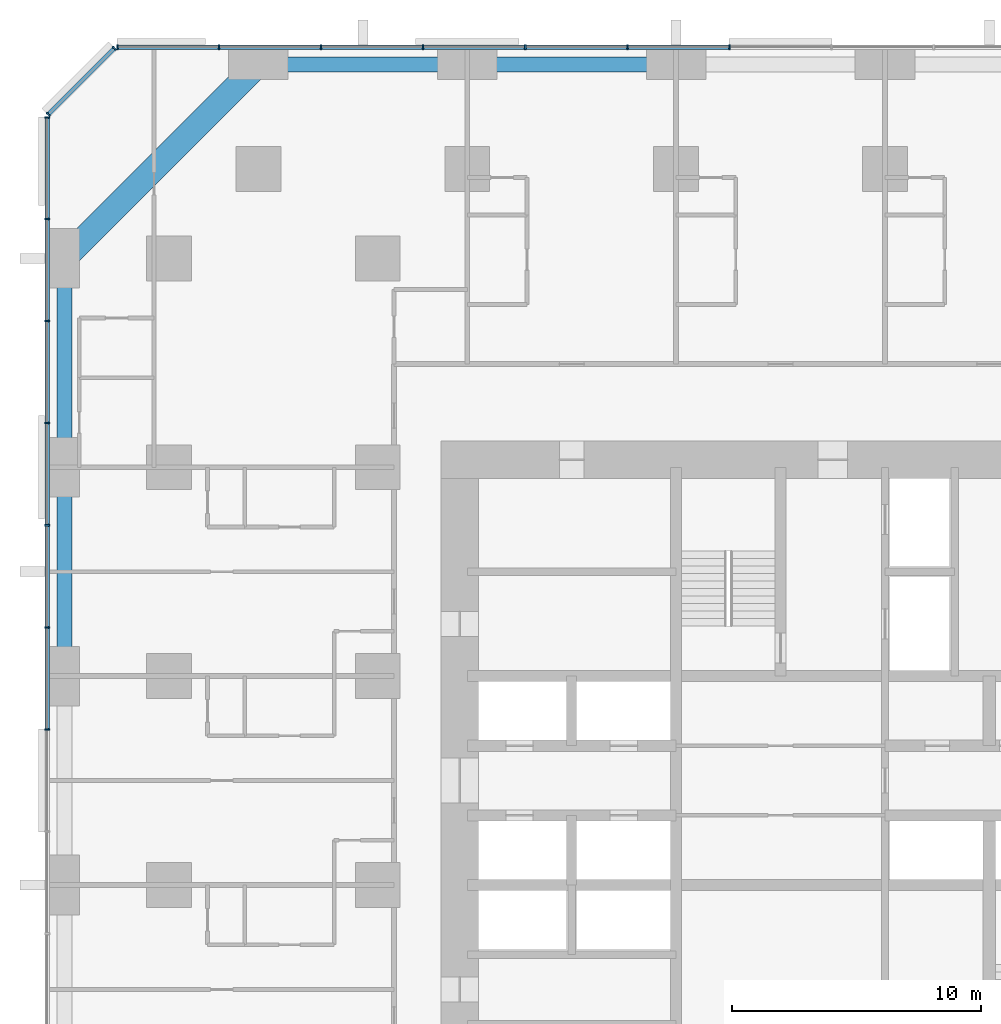
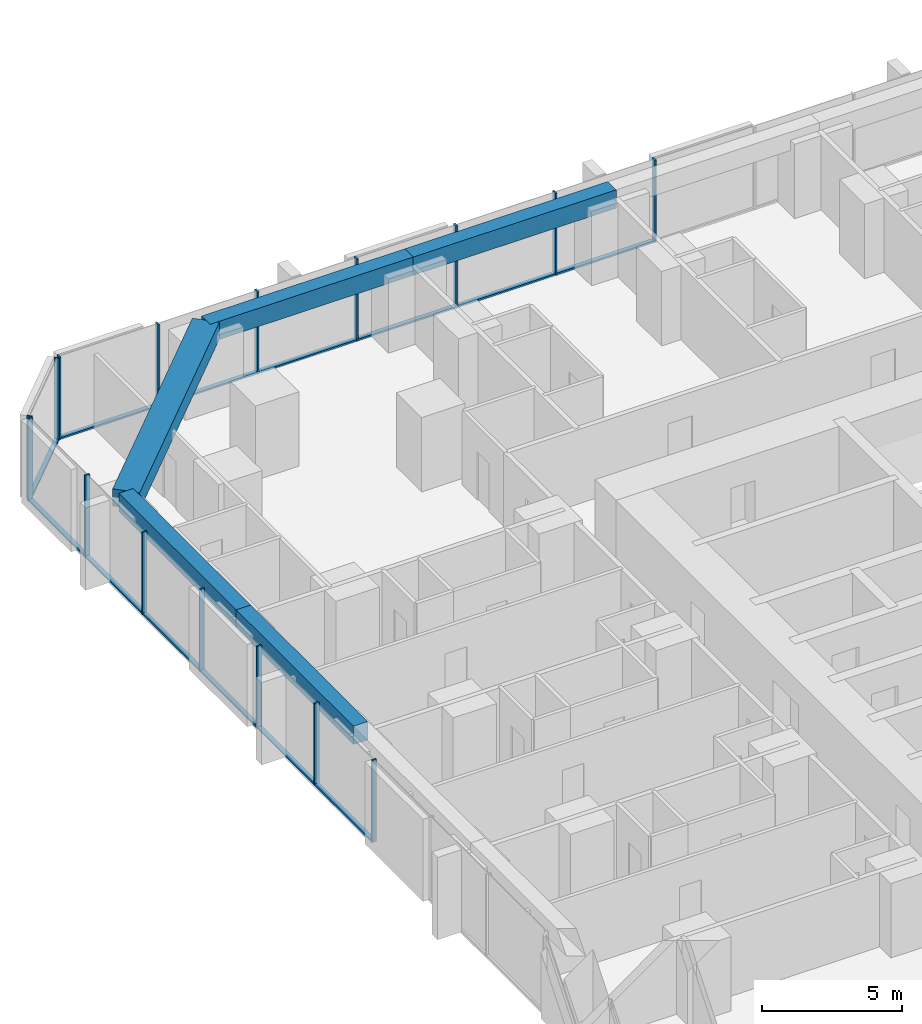
# One storey, part 6 of 17: 29 members, 5 beams, 3 elements without a shape of their own.
"""IFC4 building model written with IfcOpenShell, lengths in metres."""

from ifc_helpers import new_model, si_unit, direction, frame, origin, origin_2d, place, context, subcontext, project, spatial, rectangle, extrude, material, material_profile, profile_set, type_object, element, aggregate, save


model = new_model("IFC4")

# Units and contexts
model_context = context("Model", 3, precision=1e-05, world=origin(), true_north=direction((0.0, 1.0)))
body_context = subcontext(model_context, "Body", "Model", "MODEL_VIEW")
ifc_project = project(units=[si_unit("LENGTHUNIT", "METRE"), si_unit("AREAUNIT", "SQUARE_METRE"), si_unit("VOLUMEUNIT", "CUBIC_METRE"), si_unit("PLANEANGLEUNIT", "RADIAN"), si_unit("MASSUNIT", "GRAM", prefix="KILO")], contexts=[model_context])

# Site, building, storey
site_placement = place(None, origin())
site = spatial("IfcSite", under=ifc_project, at=site_placement, CompositionType="ELEMENT")
building_placement = place(site_placement, origin())
building = spatial("IfcBuilding", under=site, at=building_placement, Name="Dunama Terrace Hotel", CompositionType="ELEMENT")
storey_placement = place(building_placement, frame((0.0, 0.0, 59.39990234375)))
storey = spatial("IfcBuildingStorey", under=building, at=storey_placement, Name="L14", CompositionType="ELEMENT", Elevation=59.39990234375)

# Curtain wall, members
ifc_material_1 = material(Name="Aluminium curtain wall system", Category="aluminium")
curtain_wall_type = type_object("IfcCurtainWallType", Name="Unitised fritted glass wall CW-A", PredefinedType="NOTDEFINED", material=ifc_material_1)
curtain_wall_1_placement = place(storey_placement, origin())
curtain_wall_1 = element("IfcCurtainWall", 1, at=curtain_wall_1_placement, inside=storey, type_object=curtain_wall_type, Name="Unitised fritted glass wall CW-A L14", PredefinedType="NOTDEFINED")
ifc_material_2 = material(Name="Aluminium mullion", Category="aluminium")
ifc_material_profile_1 = material_profile(ifc_material_2, rectangle(XDim=0.06494140625, YDim=0.199951171875, at=origin_2d()), Name="CWA MULLION 65X200")
ifc_profile_set_1 = profile_set([ifc_material_profile_1], Name="Aluminium mullion")
member_type_1 = type_object("IfcMemberType", Name="CWA mullion 65x200", PredefinedType="MULLION", material=ifc_profile_set_1)
member_1_placement = place(storey_placement, frame((27.345947265625, 58.89990234375, 0.0), z_axis=(0.0, 0.0, 1.0), x_axis=(-1.0, 0.0, 0.0)))
member_1 = element("IfcMember", 2, at=member_1_placement, type_object=member_type_1, Name="CWA mullion", PredefinedType="MULLION", context=body_context, shape_type="SweptSolid", body=[
    extrude(rectangle(XDim=0.06494140625, YDim=0.199951171875, at=origin_2d()), origin(), (0.0, 0.0, 1.0), 3.60009765625),
])
member_2_placement = place(storey_placement, frame((23.238037109375, 58.89990234375, 0.0), z_axis=(0.0, 0.0, 1.0), x_axis=(-1.0, 0.0, 0.0)))
member_2 = element("IfcMember", 3, at=member_2_placement, type_object=member_type_1, Name="CWA mullion", PredefinedType="MULLION", context=body_context, shape_type="SweptSolid", body=[
    extrude(rectangle(XDim=0.06494140625, YDim=0.199951171875, at=origin_2d()), origin(), (0.0, 0.0, 1.0), 3.60009765625),
])
member_3_placement = place(storey_placement, frame((19.131103515625, 58.89990234375, 0.0), z_axis=(0.0, 0.0, 1.0), x_axis=(-1.0, 0.0, 0.0)))
member_3 = element("IfcMember", 4, at=member_3_placement, type_object=member_type_1, Name="CWA mullion", PredefinedType="MULLION", context=body_context, shape_type="SweptSolid", body=[
    extrude(rectangle(XDim=0.06494140625, YDim=0.199951171875, at=origin_2d()), origin(), (0.0, 0.0, 1.0), 3.60009765625),
])
member_4_placement = place(storey_placement, frame((15.02294921875, 58.89990234375, 0.0), z_axis=(0.0, 0.0, 1.0), x_axis=(-1.0, 0.0, 0.0)))
member_4 = element("IfcMember", 5, at=member_4_placement, type_object=member_type_1, Name="CWA mullion", PredefinedType="MULLION", context=body_context, shape_type="SweptSolid", body=[
    extrude(rectangle(XDim=0.06494140625, YDim=0.199951171875, at=origin_2d()), origin(), (0.0, 0.0, 1.0), 3.60009765625),
])
member_5_placement = place(storey_placement, frame((10.9150390625, 58.89990234375, 0.0), z_axis=(0.0, 0.0, 1.0), x_axis=(-1.0, 0.0, 0.0)))
member_5 = element("IfcMember", 6, at=member_5_placement, type_object=member_type_1, Name="CWA mullion", PredefinedType="MULLION", context=body_context, shape_type="SweptSolid", body=[
    extrude(rectangle(XDim=0.06494140625, YDim=0.199951171875, at=origin_2d()), origin(), (0.0, 0.0, 1.0), 3.60009765625),
])
member_6_placement = place(storey_placement, frame((6.80810546875, 58.89990234375, 0.0), z_axis=(0.0, 0.0, 1.0), x_axis=(-1.0, 0.0, 0.0)))
member_6 = element("IfcMember", 7, at=member_6_placement, type_object=member_type_1, Name="CWA mullion", PredefinedType="MULLION", context=body_context, shape_type="SweptSolid", body=[
    extrude(rectangle(XDim=0.06494140625, YDim=0.199951171875, at=origin_2d()), origin(), (0.0, 0.0, 1.0), 3.60009765625),
])
member_7_placement = place(storey_placement, frame((2.73291015625, 58.89990234375, 0.0), z_axis=(0.0, 0.0, 1.0), x_axis=(-1.0, 0.0, 0.0)))
member_7 = element("IfcMember", 8, at=member_7_placement, type_object=member_type_1, Name="CWA mullion", PredefinedType="MULLION", context=body_context, shape_type="SweptSolid", body=[
    extrude(rectangle(XDim=0.06494140625, YDim=0.199951171875, at=origin_2d()), origin(), (0.0, 0.0, 1.0), 3.60009765625),
])

curtain_wall_2_placement = place(storey_placement, origin())
curtain_wall_2 = element("IfcCurtainWall", 9, at=curtain_wall_2_placement, inside=storey, type_object=curtain_wall_type, Name="Unitised fritted glass wall CW-A L14", PredefinedType="NOTDEFINED")
member_8_placement = place(storey_placement, frame((2.60595703125, 58.847900390625, 0.0), z_axis=(0.0, 0.0, 1.0), x_axis=(-0.707106781187, -0.707106781187, 0.0)))
member_8 = element("IfcMember", 10, at=member_8_placement, type_object=member_type_1, Name="CWA mullion", PredefinedType="MULLION", context=body_context, shape_type="SweptSolid", body=[
    extrude(rectangle(XDim=0.06494140625, YDim=0.199951171875, at=origin_2d()), origin(), (0.0, 0.0, 1.0), 3.60009765625),
])
member_9_placement = place(storey_placement, frame((-0.048095703125, 56.194091796875, 0.0), z_axis=(0.0, 0.0, 1.0), x_axis=(-0.707106781187, -0.707106781187, 0.0)))
member_9 = element("IfcMember", 11, at=member_9_placement, type_object=member_type_1, Name="CWA mullion", PredefinedType="MULLION", context=body_context, shape_type="SweptSolid", body=[
    extrude(rectangle(XDim=0.06494140625, YDim=0.199951171875, at=origin_2d()), origin(), (0.0, 0.0, 1.0), 3.60009765625),
])

curtain_wall_3_placement = place(storey_placement, origin())
curtain_wall_3 = element("IfcCurtainWall", 12, at=curtain_wall_3_placement, inside=storey, type_object=curtain_wall_type, Name="Unitised fritted glass wall CW-A L14", PredefinedType="NOTDEFINED")
member_10_placement = place(storey_placement, frame((-0.10009765625, 56.06689453125, 0.0), z_axis=(0.0, 0.0, 1.0), x_axis=(0.0, -1.0, 0.0)))
member_10 = element("IfcMember", 13, at=member_10_placement, type_object=member_type_1, Name="CWA mullion", PredefinedType="MULLION", context=body_context, shape_type="SweptSolid", body=[
    extrude(rectangle(XDim=0.06494140625, YDim=0.199951171875, at=origin_2d()), origin(), (0.0, 0.0, 1.0), 3.60009765625),
])
member_11_placement = place(storey_placement, frame((-0.10009765625, 51.991943359375, 0.0), z_axis=(0.0, 0.0, 1.0), x_axis=(0.0, -1.0, 0.0)))
member_11 = element("IfcMember", 14, at=member_11_placement, type_object=member_type_1, Name="CWA mullion", PredefinedType="MULLION", context=body_context, shape_type="SweptSolid", body=[
    extrude(rectangle(XDim=0.06494140625, YDim=0.199951171875, at=origin_2d()), origin(), (0.0, 0.0, 1.0), 3.60009765625),
])
member_12_placement = place(storey_placement, frame((-0.10009765625, 47.885009765625, 0.0), z_axis=(0.0, 0.0, 1.0), x_axis=(0.0, -1.0, 0.0)))
member_12 = element("IfcMember", 15, at=member_12_placement, type_object=member_type_1, Name="CWA mullion", PredefinedType="MULLION", context=body_context, shape_type="SweptSolid", body=[
    extrude(rectangle(XDim=0.06494140625, YDim=0.199951171875, at=origin_2d()), origin(), (0.0, 0.0, 1.0), 3.60009765625),
])
member_13_placement = place(storey_placement, frame((-0.10009765625, 43.777099609375, 0.0), z_axis=(0.0, 0.0, 1.0), x_axis=(0.0, -1.0, 0.0)))
member_13 = element("IfcMember", 16, at=member_13_placement, type_object=member_type_1, Name="CWA mullion", PredefinedType="MULLION", context=body_context, shape_type="SweptSolid", body=[
    extrude(rectangle(XDim=0.06494140625, YDim=0.199951171875, at=origin_2d()), origin(), (0.0, 0.0, 1.0), 3.60009765625),
])
member_14_placement = place(storey_placement, frame((-0.10009765625, 39.6689453125, 0.0), z_axis=(0.0, 0.0, 1.0), x_axis=(0.0, -1.0, 0.0)))
member_14 = element("IfcMember", 17, at=member_14_placement, type_object=member_type_1, Name="CWA mullion", PredefinedType="MULLION", context=body_context, shape_type="SweptSolid", body=[
    extrude(rectangle(XDim=0.06494140625, YDim=0.199951171875, at=origin_2d()), origin(), (0.0, 0.0, 1.0), 3.60009765625),
])
member_15_placement = place(storey_placement, frame((-0.10009765625, 35.56201171875, 0.0), z_axis=(0.0, 0.0, 1.0), x_axis=(0.0, -1.0, 0.0)))
member_15 = element("IfcMember", 18, at=member_15_placement, type_object=member_type_1, Name="CWA mullion", PredefinedType="MULLION", context=body_context, shape_type="SweptSolid", body=[
    extrude(rectangle(XDim=0.06494140625, YDim=0.199951171875, at=origin_2d()), origin(), (0.0, 0.0, 1.0), 3.60009765625),
])
member_16_placement = place(storey_placement, frame((-0.10009765625, 31.4541015625, 0.0), z_axis=(0.0, 0.0, 1.0), x_axis=(0.0, -1.0, 0.0)))
member_16 = element("IfcMember", 19, at=member_16_placement, type_object=member_type_1, Name="CWA mullion", PredefinedType="MULLION", context=body_context, shape_type="SweptSolid", body=[
    extrude(rectangle(XDim=0.06494140625, YDim=0.199951171875, at=origin_2d()), origin(), (0.0, 0.0, 1.0), 3.60009765625),
])

# Member
ifc_material_3 = material(Name="Aluminium transom", Category="aluminium")
ifc_material_profile_2 = material_profile(ifc_material_3, rectangle(XDim=0.179931640625, YDim=0.074951171875, at=origin_2d()), Name="CWA TRANSOM 180X75")
ifc_profile_set_2 = profile_set([ifc_material_profile_2], Name="Aluminium transom")
member_type_2 = type_object("IfcMemberType", Name="CWA transom 180x75", PredefinedType="USERDEFINED", material=ifc_profile_set_2)
member_17_placement = place(storey_placement, frame((27.31396484375, 58.89990234375, 0.03759765625), z_axis=(-1.0, 0.0, 0.0), x_axis=(0.0, -1.0, 0.0)))
member_17 = element("IfcMember", 20, at=member_17_placement, type_object=member_type_2, Name="CWA transom", ObjectType="TRANSOM", PredefinedType="USERDEFINED", context=body_context, shape_type="SweptSolid", body=[
    extrude(rectangle(XDim=0.179931640625, YDim=0.074951171875, at=origin_2d()), origin(), (0.0, 0.0, 1.0), 4.04296875),
])

member_18_placement = place(storey_placement, frame((23.2060546875, 58.89990234375, 0.03759765625), z_axis=(-1.0, 0.0, 0.0), x_axis=(0.0, -1.0, 0.0)))
member_18 = element("IfcMember", 21, at=member_18_placement, type_object=member_type_2, Name="CWA transom", ObjectType="TRANSOM", PredefinedType="USERDEFINED", context=body_context, shape_type="SweptSolid", body=[
    extrude(rectangle(XDim=0.179931640625, YDim=0.074951171875, at=origin_2d()), origin(), (0.0, 0.0, 1.0), 4.04296875),
])

member_19_placement = place(storey_placement, frame((19.097900390625, 58.89990234375, 0.03759765625), z_axis=(-1.0, 0.0, 0.0), x_axis=(0.0, -1.0, 0.0)))
member_19 = element("IfcMember", 22, at=member_19_placement, type_object=member_type_2, Name="CWA transom", ObjectType="TRANSOM", PredefinedType="USERDEFINED", context=body_context, shape_type="SweptSolid", body=[
    extrude(rectangle(XDim=0.179931640625, YDim=0.074951171875, at=origin_2d()), origin(), (0.0, 0.0, 1.0), 4.0419921875),
])

member_20_placement = place(storey_placement, frame((14.990966796875, 58.89990234375, 0.03759765625), z_axis=(-1.0, 0.0, 0.0), x_axis=(0.0, -1.0, 0.0)))
member_20 = element("IfcMember", 23, at=member_20_placement, type_object=member_type_2, Name="CWA transom", ObjectType="TRANSOM", PredefinedType="USERDEFINED", context=body_context, shape_type="SweptSolid", body=[
    extrude(rectangle(XDim=0.179931640625, YDim=0.074951171875, at=origin_2d()), origin(), (0.0, 0.0, 1.0), 4.04296875),
])

member_21_placement = place(storey_placement, frame((10.883056640625, 58.89990234375, 0.03759765625), z_axis=(-1.0, 0.0, 0.0), x_axis=(0.0, -1.0, 0.0)))
member_21 = element("IfcMember", 24, at=member_21_placement, type_object=member_type_2, Name="CWA transom", ObjectType="TRANSOM", PredefinedType="USERDEFINED", context=body_context, shape_type="SweptSolid", body=[
    extrude(rectangle(XDim=0.179931640625, YDim=0.074951171875, at=origin_2d()), origin(), (0.0, 0.0, 1.0), 4.04296875),
])

member_22_placement = place(storey_placement, frame((6.77490234375, 58.89990234375, 0.03759765625), z_axis=(-1.0, 0.0, 0.0), x_axis=(0.0, -1.0, 0.0)))
member_22 = element("IfcMember", 25, at=member_22_placement, type_object=member_type_2, Name="CWA transom", ObjectType="TRANSOM", PredefinedType="USERDEFINED", context=body_context, shape_type="SweptSolid", body=[
    extrude(rectangle(XDim=0.179931640625, YDim=0.074951171875, at=origin_2d()), origin(), (0.0, 0.0, 1.0), 4.010009765625),
])

aggregate(curtain_wall_1, [member_1, member_2, member_3, member_4, member_5, member_6, member_7, member_17, member_18, member_19, member_20, member_21, member_22])

member_23_placement = place(storey_placement, frame((2.5830078125, 58.824951171875, 0.03759765625), z_axis=(-0.707106781187, -0.707106781187, 0.0), x_axis=(0.707106781187, -0.707106781187, 0.0)))
member_23 = element("IfcMember", 26, at=member_23_placement, type_object=member_type_2, Name="CWA transom", ObjectType="TRANSOM", PredefinedType="USERDEFINED", context=body_context, shape_type="SweptSolid", body=[
    extrude(rectangle(XDim=0.179931640625, YDim=0.074951171875, at=origin_2d()), origin(), (0.0, 0.0, 1.0), 3.688232421875),
])

aggregate(curtain_wall_2, [member_8, member_9, member_23])

member_24_placement = place(storey_placement, frame((-0.10009765625, 56.034912109375, 0.03759765625), z_axis=(0.0, -1.0, 0.0), x_axis=(1.0, 0.0, 0.0)))
member_24 = element("IfcMember", 27, at=member_24_placement, type_object=member_type_2, Name="CWA transom", ObjectType="TRANSOM", PredefinedType="USERDEFINED", context=body_context, shape_type="SweptSolid", body=[
    extrude(rectangle(XDim=0.179931640625, YDim=0.074951171875, at=origin_2d()), origin(), (0.0, 0.0, 1.0), 4.010009765625),
])

member_25_placement = place(storey_placement, frame((-0.10009765625, 51.9599609375, 0.03759765625), z_axis=(0.0, -1.0, 0.0), x_axis=(1.0, 0.0, 0.0)))
member_25 = element("IfcMember", 28, at=member_25_placement, type_object=member_type_2, Name="CWA transom", ObjectType="TRANSOM", PredefinedType="USERDEFINED", context=body_context, shape_type="SweptSolid", body=[
    extrude(rectangle(XDim=0.179931640625, YDim=0.074951171875, at=origin_2d()), origin(), (0.0, 0.0, 1.0), 4.04296875),
])

member_26_placement = place(storey_placement, frame((-0.10009765625, 47.85205078125, 0.03759765625), z_axis=(0.0, -1.0, 0.0), x_axis=(1.0, 0.0, 0.0)))
member_26 = element("IfcMember", 29, at=member_26_placement, type_object=member_type_2, Name="CWA transom", ObjectType="TRANSOM", PredefinedType="USERDEFINED", context=body_context, shape_type="SweptSolid", body=[
    extrude(rectangle(XDim=0.179931640625, YDim=0.074951171875, at=origin_2d()), origin(), (0.0, 0.0, 1.0), 4.04296875),
])

member_27_placement = place(storey_placement, frame((-0.10009765625, 43.743896484375, 0.03759765625), z_axis=(0.0, -1.0, 0.0), x_axis=(1.0, 0.0, 0.0)))
member_27 = element("IfcMember", 30, at=member_27_placement, type_object=member_type_2, Name="CWA transom", ObjectType="TRANSOM", PredefinedType="USERDEFINED", context=body_context, shape_type="SweptSolid", body=[
    extrude(rectangle(XDim=0.179931640625, YDim=0.074951171875, at=origin_2d()), origin(), (0.0, 0.0, 1.0), 4.0419921875),
])

member_28_placement = place(storey_placement, frame((-0.10009765625, 39.636962890625, 0.03759765625), z_axis=(0.0, -1.0, 0.0), x_axis=(1.0, 0.0, 0.0)))
member_28 = element("IfcMember", 31, at=member_28_placement, type_object=member_type_2, Name="CWA transom", ObjectType="TRANSOM", PredefinedType="USERDEFINED", context=body_context, shape_type="SweptSolid", body=[
    extrude(rectangle(XDim=0.179931640625, YDim=0.074951171875, at=origin_2d()), origin(), (0.0, 0.0, 1.0), 4.04296875),
])

member_29_placement = place(storey_placement, frame((-0.10009765625, 35.529052734375, 0.03759765625), z_axis=(0.0, -1.0, 0.0), x_axis=(1.0, 0.0, 0.0)))
member_29 = element("IfcMember", 32, at=member_29_placement, type_object=member_type_2, Name="CWA transom", ObjectType="TRANSOM", PredefinedType="USERDEFINED", context=body_context, shape_type="SweptSolid", body=[
    extrude(rectangle(XDim=0.179931640625, YDim=0.074951171875, at=origin_2d()), origin(), (0.0, 0.0, 1.0), 4.04296875),
])

aggregate(curtain_wall_3, [member_10, member_11, member_12, member_13, member_14, member_15, member_16, member_24, member_25, member_26, member_27, member_28, member_29])

# Beams
ifc_material_4 = material(Name="Concrete C50/60", Category="concrete")
ifc_material_profile_3 = material_profile(ifc_material_4, rectangle(XDim=1.0, YDim=0.75, at=origin_2d()), Name="RC 1000x750")
ifc_profile_set_3 = profile_set([ifc_material_profile_3], Name="Concrete C50/60")
beam_type_1 = type_object("IfcBeamType", Name="Edge beam RC 1000x750", PredefinedType="SPANDREL", material=ifc_profile_set_3)
beam_1_placement = place(storey_placement, frame((8.39990234375, 58.199951171875, 3.22509765625), z_axis=(-0.707095714747, -0.707117847453, 0.0), x_axis=(0.707117847453, -0.707095714747, 0.0)))
element("IfcBeam", 33, at=beam_1_placement, inside=storey, type_object=beam_type_1, Name="Corner edge beam under L15", PredefinedType="SPANDREL", context=body_context, shape_type="SweptSolid", body=[
    extrude(rectangle(XDim=1.0, YDim=0.75, at=origin_2d()), origin(), (0.0, 0.0, 1.0), 11.03076171875),
])
ifc_material_5 = material(Name="Concrete C40/50", Category="concrete")
ifc_material_profile_4 = material_profile(ifc_material_5, rectangle(XDim=0.60009765625, YDim=0.800048828125, at=origin_2d()), Name="RC 600x800")
ifc_profile_set_4 = profile_set([ifc_material_profile_4], Name="Concrete C40/50")
beam_type_2 = type_object("IfcBeamType", Name="Edge beam RC 600x800", PredefinedType="SPANDREL", material=ifc_profile_set_4)
for number, where, z_axis, x_axis, name in (
    (34, (0.60009765625, 33.60009765625, 3.2001953125), (0.0, 1.0, 0.0), (-1.0, 0.0, 0.0), "Edge beam under L15"),
    (35, (0.60009765625, 42.0, 3.2001953125), (0.0, 1.0, 0.0), (-1.0, 0.0, 0.0), "Edge beam under L15"),
):
    element("IfcBeam", number, at=place(storey_placement, frame(where, z_axis=z_axis, x_axis=x_axis)), inside=storey, type_object=beam_type_2, Name=name, PredefinedType="SPANDREL", context=body_context, shape_type="SweptSolid", body=[
        extrude(rectangle(XDim=0.60009765625, YDim=0.800048828125, at=origin_2d()), origin(), (0.0, 0.0, 1.0), 8.39990234375),
    ])
beam_2_placement = place(storey_placement, frame((8.39990234375, 58.199951171875, 3.2001953125), z_axis=(1.0, 0.0, 0.0), x_axis=(0.0, 1.0, 0.0)))
element("IfcBeam", 36, at=beam_2_placement, inside=storey, type_object=beam_type_2, Name="Edge beam under L15", PredefinedType="SPANDREL", context=body_context, shape_type="SweptSolid", body=[
    extrude(rectangle(XDim=0.60009765625, YDim=0.800048828125, at=origin_2d()), origin(), (0.0, 0.0, 1.0), 8.400146484375),
])
beam_3_placement = place(storey_placement, frame((16.800048828125, 58.199951171875, 3.2001953125), z_axis=(1.0, 0.0, 0.0), x_axis=(0.0, 1.0, 0.0)))
element("IfcBeam", 37, at=beam_3_placement, inside=storey, type_object=beam_type_2, Name="Edge beam under L15", PredefinedType="SPANDREL", context=body_context, shape_type="SweptSolid", body=[
    extrude(rectangle(XDim=0.60009765625, YDim=0.800048828125, at=origin_2d()), origin(), (0.0, 0.0, 1.0), 8.39990234375),
])

save(model, "model.ifc")
